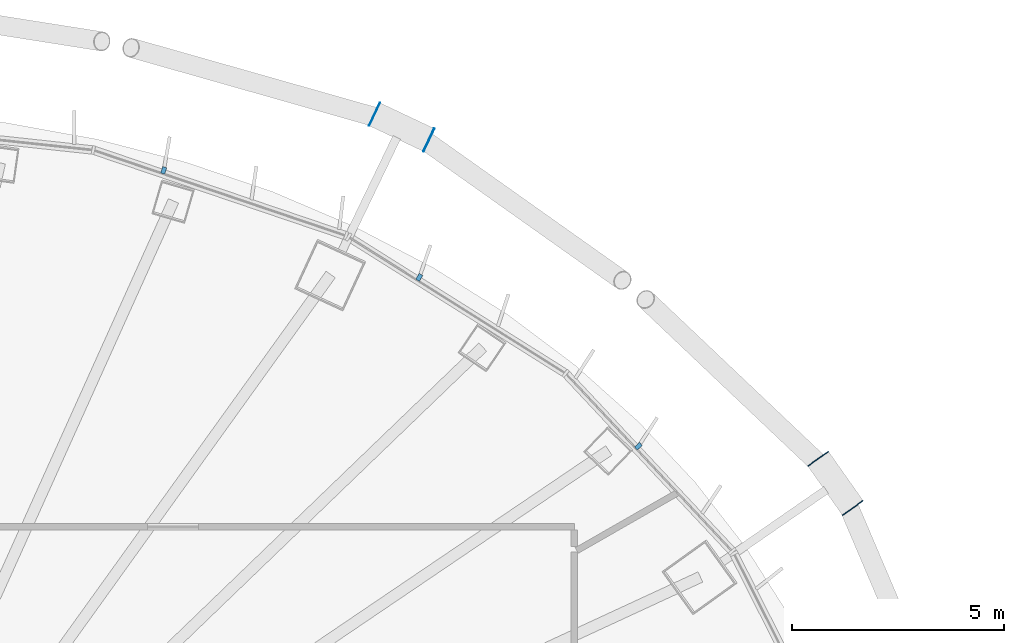
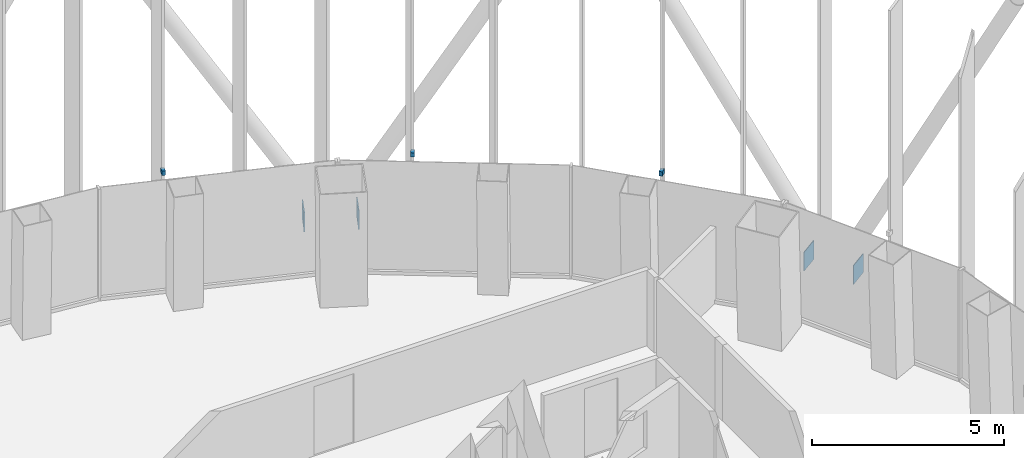
# One storey, part 15 of 19: 7 discrete accessories.
"""IFC4 building model written with IfcOpenShell, lengths in metres."""

from ifc_helpers import new_model, si_unit, direction, frame, origin, origin_2d, place, context, subcontext, project, spatial, rectangle, extrude, material, layer, layer_set, type_object, element, save


model = new_model("IFC4")

# Units and contexts
model_context = context("Model", 3, precision=1e-05, world=origin(), true_north=direction((0.0, 1.0)))
body_context = subcontext(model_context, "Body", "Model", "MODEL_VIEW")
ifc_project = project(units=[si_unit("LENGTHUNIT", "METRE"), si_unit("AREAUNIT", "SQUARE_METRE"), si_unit("VOLUMEUNIT", "CUBIC_METRE"), si_unit("PLANEANGLEUNIT", "RADIAN"), si_unit("MASSUNIT", "GRAM", prefix="KILO")], contexts=[model_context])

# Site, building, storey
site_placement = place(None, origin())
site = spatial("IfcSite", under=ifc_project, at=site_placement, CompositionType="ELEMENT")
building_placement = place(site_placement, origin())
building = spatial("IfcBuilding", under=site, at=building_placement, Name="Siaravel Broadcast Tower", CompositionType="ELEMENT")
storey_placement = place(building_placement, frame((0.0, 0.0, 130.39990234375)))
storey = spatial("IfcBuildingStorey", under=building, at=storey_placement, Name="L31", CompositionType="ELEMENT", Elevation=130.39990234375)

# Discrete accessories
ifc_material_1 = material(Name="Stainless steel 316", Category="steel")
discrete_accessory_type_1 = type_object("IfcDiscreteAccessoryType", Name="Stainless steel fin bracket", PredefinedType="USERDEFINED", material=ifc_material_1)
for number, where, z_axis, x_axis, name in (
    (1, (19.31298828125, 12.706298828125, 3.68505859375), (0.0, 0.0, 1.0), (0.729806802, 0.683653445, 0.0), "Fin bracket L31-07"),
    (2, (14.136474609375, 16.69189453125, 3.68505859375), (0.0, 0.0, 1.0), (0.53215093, 0.846649507, 0.0), "Fin bracket L31-10"),
    (3, (8.1005859375, 19.220703125, 3.68505859375), (0.0, 0.0, 1.0), (0.321302287, 0.946976684, 0.0), "Fin bracket L31-13"),
):
    element("IfcDiscreteAccessory", number, at=place(storey_placement, frame(where, z_axis=z_axis, x_axis=x_axis)), inside=storey, type_object=discrete_accessory_type_1, Name=name, ObjectType="BRACKET", PredefinedType="USERDEFINED", context=body_context, shape_type="SweptSolid", body=[
        extrude(rectangle(XDim=0.159912109375, YDim=0.10009765625, at=origin_2d()), origin(), (0.0, 0.0, 1.0), 0.139892578125),
    ])
ifc_material_2 = material(Name="Steel S355", Category="steel")
ifc_layer = layer(ifc_material_2, 0.02001953125)
ifc_layer_set = layer_set([ifc_layer], Name="Steel S355")
discrete_accessory_type_2 = type_object("IfcDiscreteAccessoryType", Name="Steel end plate 20 mm", PredefinedType="USERDEFINED", material=ifc_layer_set)
for number, where, z_axis, x_axis, name in (
    (4, (23.558349609375, 12.40771484375, -0.5), (0.0, 0.0, 1.0), (-0.576119939, 0.817365167, 0.0), "End plate R13 station 06A"),
    (5, (24.376220703125, 11.247314453125, -0.5), (0.0, 0.0, 1.0), (-0.576119939, 0.817365167, 0.0), "End plate R13 station 06B"),
    (6, (13.080322265625, 20.545166015625, -0.5), (0.0, 0.0, 1.0), (-0.904007202, 0.427517227, 0.0), "End plate R13 station 12A"),
    (7, (14.36376953125, 19.93798828125, -0.5), (0.0, 0.0, 1.0), (-0.904007202, 0.427517227, 0.0), "End plate R13 station 12B"),
):
    element("IfcDiscreteAccessory", number, at=place(storey_placement, frame(where, z_axis=z_axis, x_axis=x_axis)), inside=storey, type_object=discrete_accessory_type_2, Name=name, ObjectType="END PLATE", PredefinedType="USERDEFINED", context=body_context, shape_type="SweptSolid", body=[
        extrude(rectangle(XDim=0.02001953125, YDim=0.60009765625, at=origin_2d()), origin(), (0.0, 0.0, 1.0), 0.60009765625),
    ])

save(model, "model.ifc")
